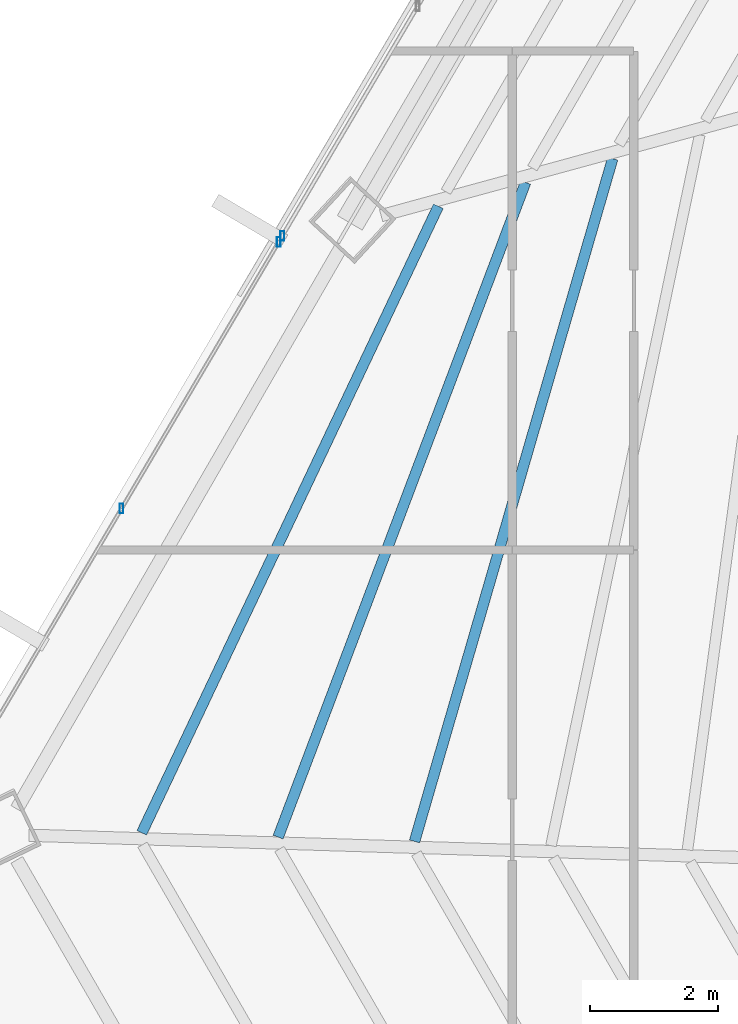
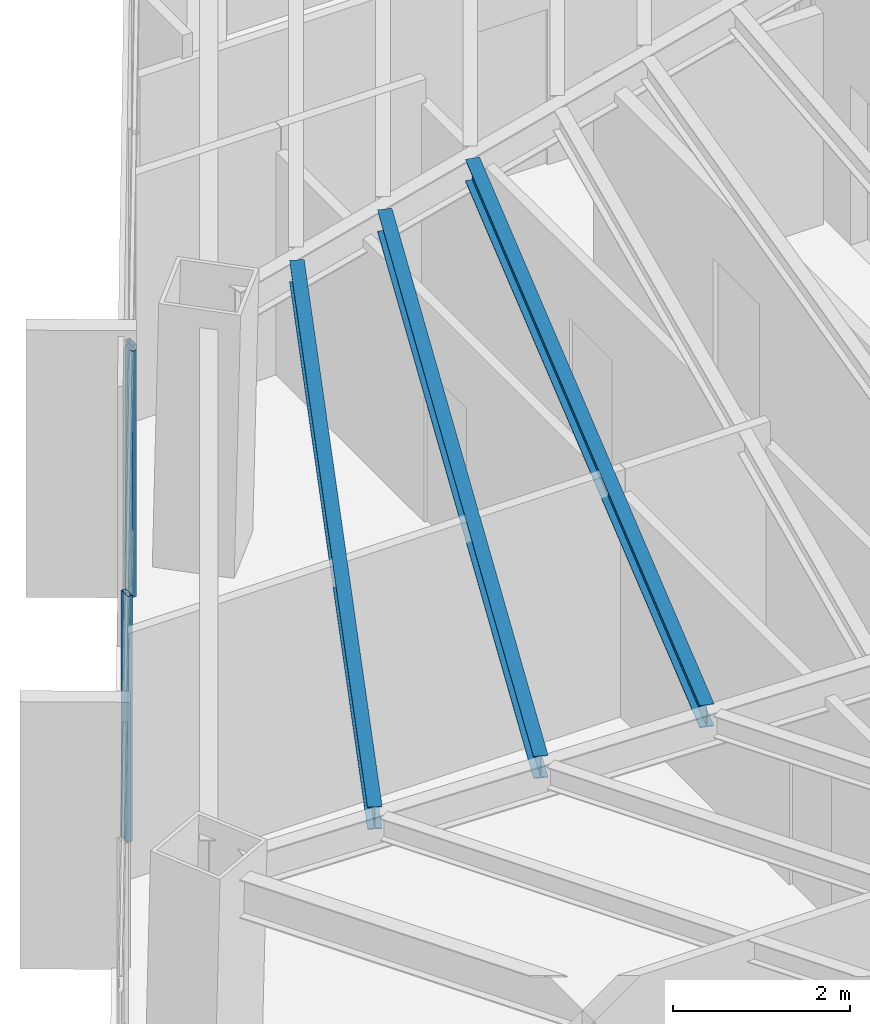
# One storey, part 12 of 41: 3 beams, 3 members, 2 elements without a shape of their own.
"""IFC4 building model written with IfcOpenShell, lengths in metres."""

from ifc_helpers import new_model, si_unit, direction, frame, origin, origin_2d, place, context, subcontext, project, spatial, hollow_rectangle, i_section, extrude, source, transform, mapped, material, material_profile, profile_set, type_object, type_shapes, element, aggregate, save


model = new_model("IFC4")

# Units and contexts
model_context = context("Model", 3, precision=1e-05, world=origin(), true_north=direction((0.0, 1.0)))
body_context = subcontext(model_context, "Body", "Model", "MODEL_VIEW")
ifc_project = project(units=[si_unit("LENGTHUNIT", "METRE"), si_unit("AREAUNIT", "SQUARE_METRE"), si_unit("VOLUMEUNIT", "CUBIC_METRE"), si_unit("PLANEANGLEUNIT", "RADIAN"), si_unit("MASSUNIT", "GRAM", prefix="KILO")], contexts=[model_context])

# Site, building, storey
site_placement = place(None, origin())
site = spatial("IfcSite", under=ifc_project, at=site_placement, CompositionType="ELEMENT")
building_placement = place(site_placement, origin())
building = spatial("IfcBuilding", under=site, at=building_placement, Name="Caelisora Broadcast Tower", CompositionType="ELEMENT")
storey_placement = place(building_placement, frame((0.0, 0.0, 165.800048828125)))
storey = spatial("IfcBuildingStorey", under=building, at=storey_placement, Name="L43", CompositionType="ELEMENT", Elevation=165.800048828125)

# Beams
ifc_material_1 = material(Name="Steel Grade 350 (AS/NZS 3679.1)", Category="steel")
ifc_material_profile_1 = material_profile(ifc_material_1, i_section(OverallWidth=0.166015625, OverallDepth=0.30712890625, WebThickness=0.006591796875, FlangeThickness=0.01171875, at=origin_2d()), Name="Steel Grade 350 (AS/NZS 3679.1)")
ifc_profile_set_1 = profile_set([ifc_material_profile_1], Name="Steel Grade 350 (AS/NZS 3679.1)")
beam_type = type_object("IfcBeamType", Name="SB03", PredefinedType="JOIST", material=ifc_profile_set_1)
shared_shape_1 = source(origin(), body_context, "Body", "SweptSolid", [
    extrude(i_section(OverallWidth=0.166015625, OverallDepth=0.30712890625, WebThickness=0.006591796875, FlangeThickness=0.01171875, at=origin_2d()), origin(), (0.0, 0.0, 1.0), 11.10107421875),
])
beam_1_placement = place(storey_placement, frame((25.068603515625, 28.4208984375, 3.246337890625), z_axis=(-0.278686533305, -0.960382119864, 0.0), x_axis=(0.960382119864, -0.278686533305, 0.0)))
element("IfcBeam", 1, at=beam_1_placement, inside=storey, type_object=beam_type, Name="L43 beam SB03", PredefinedType="JOIST", context=body_context, shape_type="MappedRepresentation", body=[
    mapped(shared_shape_1, transform((0.0, 0.0, 0.0), scale=1.0)),
])
shared_shape_2 = source(origin(), body_context, "Body", "SweptSolid", [
    extrude(i_section(OverallWidth=0.166015625, OverallDepth=0.30712890625, WebThickness=0.006591796875, FlangeThickness=0.01171875, at=origin_2d()), origin(), (0.0, 0.0, 1.0), 10.9287109375),
])
beam_2_placement = place(storey_placement, frame((23.708251953125, 28.04931640625, 3.246337890625), z_axis=(-0.353523945034, -0.935425475539, 0.0), x_axis=(0.935425475539, -0.353523945034, 0.0)))
element("IfcBeam", 2, at=beam_2_placement, inside=storey, type_object=beam_type, Name="L43 beam SB03", PredefinedType="JOIST", context=body_context, shape_type="MappedRepresentation", body=[
    mapped(shared_shape_2, transform((0.0, 0.0, 0.0), scale=1.0)),
])
shared_shape_3 = source(origin(), body_context, "Body", "SweptSolid", [
    extrude(i_section(OverallWidth=0.166015625, OverallDepth=0.30712890625, WebThickness=0.006591796875, FlangeThickness=0.01171875, at=origin_2d()), origin(), (0.0, 0.0, 1.0), 10.824462890625),
])
type_shapes(beam_type, [shared_shape_1, shared_shape_2, shared_shape_3])
beam_3_placement = place(storey_placement, frame((22.34619140625, 27.67724609375, 3.246337890625), z_axis=(-0.42779352041, -0.903876487079, 0.0), x_axis=(0.903876487079, -0.42779352041, 0.0)))
element("IfcBeam", 3, at=beam_3_placement, inside=storey, type_object=beam_type, Name="L43 beam SB03", PredefinedType="JOIST", context=body_context, shape_type="MappedRepresentation", body=[
    mapped(shared_shape_3, transform((0.0, 0.0, 0.0), scale=1.0)),
])

# Curtain wall, members
ifc_material_2 = material(Name="Unitised Aluminium and Low-E Glass Curtain Wall", Category="glass")
curtain_wall_type_1 = type_object("IfcCurtainWallType", Name="CW-Z3", PredefinedType="NOTDEFINED", material=ifc_material_2)
curtain_wall_1_placement = place(storey_placement, origin())
curtain_wall_1 = element("IfcCurtainWall", 4, at=curtain_wall_1_placement, inside=storey, type_object=curtain_wall_type_1, Name="L43 curtain wall CW-Z3", PredefinedType="NOTDEFINED")
ifc_material_3 = material(Name="Aluminium 6063-T6 Anodised Terracotta Bronze", Category="aluminium")
ifc_material_profile_2 = material_profile(ifc_material_3, hollow_rectangle(XDim=0.06005859375, YDim=0.14990234375, WallThickness=0.00341796875, at=origin_2d()), Name="Aluminium 6063-T6 Anodised Terracotta Bronze")
ifc_profile_set_2 = profile_set([ifc_material_profile_2], Name="Aluminium 6063-T6 Anodised Terracotta Bronze")
member_type = type_object("IfcMemberType", Name="CWM-03", PredefinedType="MULLION", material=ifc_profile_set_2)
shared_shape_4 = source(origin(), body_context, "Body", "SweptSolid", [
    extrude(hollow_rectangle(XDim=0.06005859375, YDim=0.14990234375, WallThickness=0.00341796875, at=origin_2d()), origin(), (0.0, 0.0, 1.0), 3.39990234375),
])
type_shapes(member_type, [shared_shape_4])
member_1_placement = place(storey_placement, frame((17.399658203125, 22.956298828125, 0.0), z_axis=(0.0, 0.0, 1.0), x_axis=(1.0, 0.0, 0.0)))
member_1 = element("IfcMember", 5, at=member_1_placement, type_object=member_type, Name="L43-CW-B09 mullion #2", PredefinedType="MULLION", context=body_context, shape_type="MappedRepresentation", body=[
    mapped(shared_shape_4, transform((0.0, 0.0, 0.0), scale=1.0)),
])
member_2_placement = place(storey_placement, frame((19.85498046875, 27.1201171875, 0.0), z_axis=(0.0, 0.0, 1.0), x_axis=(1.0, 0.0, 0.0)))
member_2 = element("IfcMember", 6, at=member_2_placement, type_object=member_type, Name="L43-CW-B09 mullion #3", PredefinedType="MULLION", context=body_context, shape_type="MappedRepresentation", body=[
    mapped(shared_shape_4, transform((0.0, 0.0, 0.0), scale=1.0)),
])
aggregate(curtain_wall_1, [member_1, member_2])

# Curtain wall, member
ifc_material_4 = material(Name="Unitised Aluminium Insulated Shadow-Box Spandrel Curtain Wall", Category="aluminium")
curtain_wall_type_2 = type_object("IfcCurtainWallType", Name="CW-SP2", PredefinedType="NOTDEFINED", material=ifc_material_4)
curtain_wall_2_placement = place(storey_placement, origin())
curtain_wall_2 = element("IfcCurtainWall", 7, at=curtain_wall_2_placement, inside=storey, type_object=curtain_wall_type_2, Name="L43 curtain wall CW-SP2", PredefinedType="NOTDEFINED")
member_3_placement = place(storey_placement, frame((19.910888671875, 27.21484375, 0.0), z_axis=(0.0, 0.0, 1.0), x_axis=(1.0, 0.0, 0.0)))
member_3 = element("IfcMember", 8, at=member_3_placement, type_object=member_type, Name="L43-CW-B10 mullion #0", PredefinedType="MULLION", context=body_context, shape_type="MappedRepresentation", body=[
    mapped(shared_shape_4, transform((0.0, 0.0, 0.0), scale=1.0)),
])
aggregate(curtain_wall_2, [member_3])

save(model, "model.ifc")
